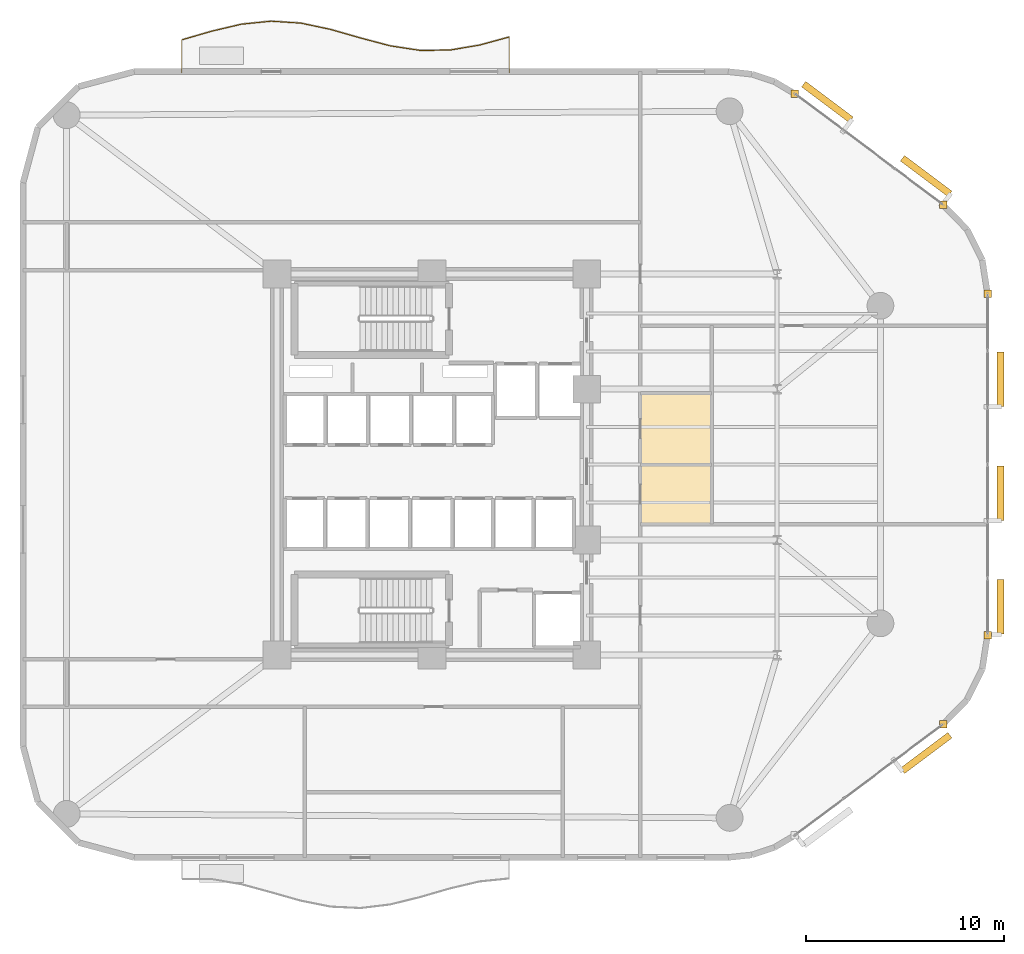
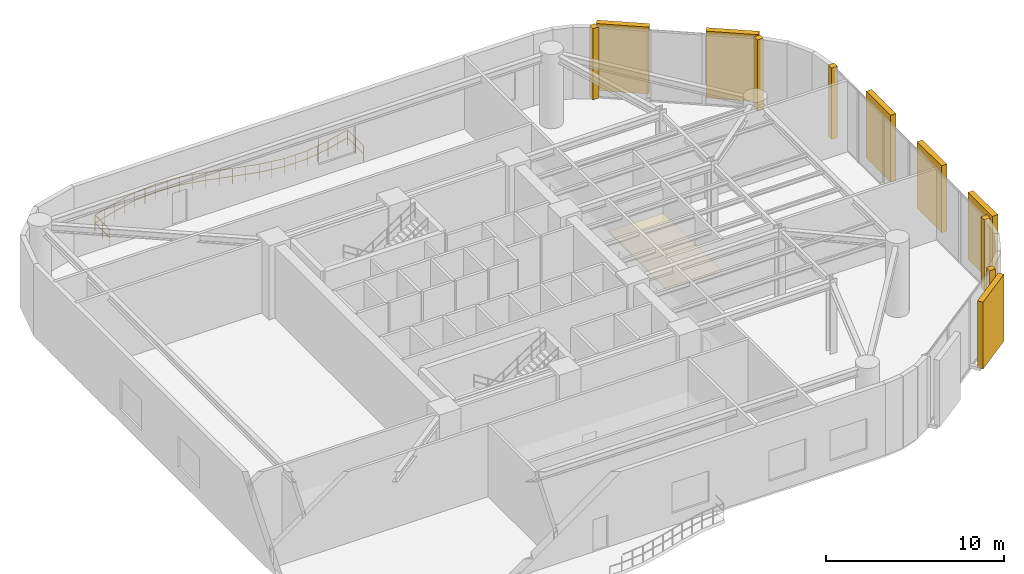
# One storey, part 14 of 14: 7 coverings, 6 shading devices, 1 railing.
"""IFC4 building model written with IfcOpenShell, lengths in metres."""

from ifc_helpers import new_model, si_unit, direction, frame, origin, origin_2d, place, context, subcontext, project, spatial, polyline, rectangle, circle, outline, extrude, material, layer, layer_set, type_object, element, save


model = new_model("IFC4")

# Units and contexts
model_context = context("Model", 3, precision=1e-05, world=origin(), true_north=direction((0.0, 1.0)))
body_context = subcontext(model_context, "Body", "Model", "MODEL_VIEW")
ifc_project = project(units=[si_unit("LENGTHUNIT", "METRE"), si_unit("AREAUNIT", "SQUARE_METRE"), si_unit("VOLUMEUNIT", "CUBIC_METRE"), si_unit("PLANEANGLEUNIT", "RADIAN"), si_unit("MASSUNIT", "GRAM", prefix="KILO")], contexts=[model_context])

# Site, building, storey
site_placement = place(None, origin())
site = spatial("IfcSite", under=ifc_project, at=site_placement, CompositionType="ELEMENT")
building_placement = place(site_placement, origin())
building = spatial("IfcBuilding", under=site, at=building_placement, Name="An Khanh Terracotta Commons", CompositionType="ELEMENT")
storey_placement = place(building_placement, frame((0.0, 0.0, 81.199951171875)))
storey = spatial("IfcBuildingStorey", under=building, at=storey_placement, Name="L21", CompositionType="ELEMENT", Elevation=81.199951171875)

# Coverings
ifc_material_1 = material(Name="Perforated Mineral-Fibre Acoustic Tile")
ifc_layer_1 = layer(ifc_material_1, 0.02001953125, Name="Perforated Mineral-Fibre Acoustic Tile")
ifc_layer_set_1 = layer_set([ifc_layer_1], Name="Perforated Mineral-Fibre Acoustic Tile")
covering_type_1 = type_object("IfcCoveringType", Name="CEIL-ACOUSTIC-18", PredefinedType="CEILING", material=ifc_layer_set_1)
covering_1_placement = place(storey_placement, frame((0.0, 0.0, 2.650146484375)))
element("IfcCovering", 1, at=covering_1_placement, inside=storey, type_object=covering_type_1, Name="L21 Sky Lobby Accessible WC Ceiling", PredefinedType="CEILING", context=body_context, shape_type="SweptSolid", body=[
    extrude(outline(polyline([(39.89990234375, 24.0), (43.5, 24.0), (43.5, 21.0), (39.89990234375, 21.0), (39.89990234375, 24.0)])), origin(), (0.0, 0.0, 1.0), 0.02001953125),
])
covering_2_placement = place(storey_placement, frame((0.0, 0.0, 2.650146484375)))
element("IfcCovering", 2, at=covering_2_placement, inside=storey, type_object=covering_type_1, Name="L21 Sky Lobby Public Restrooms Ceiling", PredefinedType="CEILING", context=body_context, shape_type="SweptSolid", body=[
    extrude(outline(polyline([(39.89990234375, 27.60009765625), (43.5, 27.60009765625), (43.5, 24.0), (39.89990234375, 24.0), (39.89990234375, 27.60009765625)])), origin(), (0.0, 0.0, 1.0), 0.02001953125),
])
ifc_material_2 = material(Name="Fired Terracotta Rainscreen Cladding", Category="masonry")
ifc_layer_2 = layer(ifc_material_2, 0.080078125, Name="Fired Terracotta Rainscreen Cladding")
ifc_layer_set_2 = layer_set([ifc_layer_2], Name="Fired Terracotta Rainscreen Cladding")
covering_type_2 = type_object("IfcCoveringType", Name="COV-JAMB-TERRA", PredefinedType="CLADDING", material=ifc_layer_set_2)
for number, where, z_axis, x_axis, name in (
    (3, (55.159912109375, 10.919921875, 0.0), (0.0, 0.0, 1.0), (1.0, 0.0, 0.0), "L21 CW-04 Curtain-Wall Jamb Closure JB"),
    (4, (57.39990234375, 15.39990234375, 0.0), (0.0, 0.0, 1.0), (1.0, 0.0, 0.0), "L21 CW-04 Curtain-Wall Jamb Closure JA"),
    (5, (57.39990234375, 32.60009765625, 0.0), (0.0, 0.0, 1.0), (1.0, 0.0, 0.0), "L21 CW-04 Curtain-Wall Jamb Closure JB"),
    (6, (55.159912109375, 37.080078125, 0.0), (0.0, 0.0, 1.0), (1.0, 0.0, 0.0), "L21 CW-04 Curtain-Wall Jamb Closure JA"),
    (7, (47.693115234375, 42.679931640625, 0.0), (0.0, 0.0, 1.0), (1.0, 0.0, 0.0), "L21 CW-04 Curtain-Wall Jamb Closure JB"),
):
    element("IfcCovering", number, at=place(storey_placement, frame(where, z_axis=z_axis, x_axis=x_axis)), inside=storey, type_object=covering_type_2, Name=name, PredefinedType="CLADDING", context=body_context, shape_type="SweptSolid", body=[
        extrude(rectangle(XDim=0.3798828125, YDim=0.3798828125, at=origin_2d()), origin(), (0.0, 0.0, 1.0), 4.89990234375),
    ])

# Railing
ifc_material_3 = material(Name="Brushed Stainless Steel 316", Category="steel")
railing_type = type_object("IfcRailingType", Name="RAIL-BALUSTRADE-1100", PredefinedType="BALUSTRADE", material=ifc_material_3)
railing_placement = place(storey_placement, frame((33.300048828125, 43.739990234375, 0.0)))
element("IfcRailing", 8, at=railing_placement, inside=storey, type_object=railing_type, Name="L21 N Wave Balcony Guard Balustrade", PredefinedType="BALUSTRADE", context=body_context, shape_type="SweptSolid", body=[
    extrude(circle(Radius=0.02392578125, at=origin_2d()), frame((0.0, 0.0, 1.076171875), z_axis=(0.0, 1.0, 0.0), x_axis=(-1.0, 0.0, 0.0)), (0.0, 0.0, 1.0), 1.801025390625),
    extrude(circle(Radius=0.02392578125, at=origin_2d()), frame((0.0, 0.0, 0.52587890625), z_axis=(0.0, 1.0, 0.0), x_axis=(-1.0, 0.0, 0.0)), (0.0, 0.0, 1.0), 1.801025390625),
    extrude(circle(Radius=0.02392578125, at=origin_2d()), frame((0.0, 1.801025390625, 1.076171875), z_axis=(-0.964948425307, -0.262439586375, 0.0), x_axis=(0.262439586375, -0.964948425307, 0.0)), (0.0, 0.0, 1.0), 1.554443359375),
    extrude(circle(Radius=0.02392578125, at=origin_2d()), frame((0.0, 1.801025390625, 0.52587890625), z_axis=(-0.964948425307, -0.262439586375, 0.0), x_axis=(0.262439586375, -0.964948425307, 0.0)), (0.0, 0.0, 1.0), 1.554443359375),
    extrude(circle(Radius=0.02392578125, at=origin_2d()), frame((-1.5, 1.39306640625, 1.076171875), z_axis=(-0.986053503704, -0.166428626846, 0.0), x_axis=(0.166428626846, -0.986053503704, 0.0)), (0.0, 0.0, 1.0), 1.521240234375),
    extrude(circle(Radius=0.02392578125, at=origin_2d()), frame((-1.5, 1.39306640625, 0.52587890625), z_axis=(-0.986053503704, -0.166428626846, 0.0), x_axis=(0.166428626846, -0.986053503704, 0.0)), (0.0, 0.0, 1.0), 1.521240234375),
    extrude(circle(Radius=0.02392578125, at=origin_2d()), frame((-3.0, 1.139892578125, 1.076171875), z_axis=(-0.999956968224, -0.009276944529, 0.0), x_axis=(0.009276944529, -0.999956968224, 0.0)), (0.0, 0.0, 1.0), 1.5),
    extrude(circle(Radius=0.02392578125, at=origin_2d()), frame((-3.0, 1.139892578125, 0.52587890625), z_axis=(-0.999956968224, -0.009276944529, 0.0), x_axis=(0.009276944529, -0.999956968224, 0.0)), (0.0, 0.0, 1.0), 1.5),
    extrude(circle(Radius=0.02392578125, at=origin_2d()), frame((-4.5, 1.1259765625, 1.076171875), z_axis=(-0.988545890906, 0.15092058035, 0.0), x_axis=(-0.15092058035, -0.988545890906, 0.0)), (0.0, 0.0, 1.0), 1.517333984375),
    extrude(circle(Radius=0.02392578125, at=origin_2d()), frame((-4.5, 1.1259765625, 0.52587890625), z_axis=(-0.988545890906, 0.15092058035, 0.0), x_axis=(-0.15092058035, -0.988545890906, 0.0)), (0.0, 0.0, 1.0), 1.517333984375),
    extrude(circle(Radius=0.02392578125, at=origin_2d()), frame((-6.0, 1.35498046875, 1.076171875), z_axis=(-0.966718963822, 0.255840663277, 0.0), x_axis=(-0.255840663277, -0.966718963822, 0.0)), (0.0, 0.0, 1.0), 1.5517578125),
    extrude(circle(Radius=0.02392578125, at=origin_2d()), frame((-6.0, 1.35498046875, 0.52587890625), z_axis=(-0.966718963822, 0.255840663277, 0.0), x_axis=(-0.255840663277, -0.966718963822, 0.0)), (0.0, 0.0, 1.0), 1.5517578125),
    extrude(circle(Radius=0.02392578125, at=origin_2d()), frame((-7.5, 1.751953125, 1.076171875), z_axis=(-0.961251897699, 0.275671524047, 0.0), x_axis=(-0.275671524047, -0.961251897699, 0.0)), (0.0, 0.0, 1.0), 1.560546875),
    extrude(circle(Radius=0.02392578125, at=origin_2d()), frame((-7.5, 1.751953125, 0.52587890625), z_axis=(-0.961251897699, 0.275671524047, 0.0), x_axis=(-0.275671524047, -0.961251897699, 0.0)), (0.0, 0.0, 1.0), 1.560546875),
    extrude(circle(Radius=0.02392578125, at=origin_2d()), frame((-9.0, 2.18212890625, 1.076171875), z_axis=(-0.978275241205, 0.207310280607, 0.0), x_axis=(-0.207310280607, -0.978275241205, 0.0)), (0.0, 0.0, 1.0), 1.533203125),
    extrude(circle(Radius=0.02392578125, at=origin_2d()), frame((-9.0, 2.18212890625, 0.52587890625), z_axis=(-0.978275241205, 0.207310280607, 0.0), x_axis=(-0.207310280607, -0.978275241205, 0.0)), (0.0, 0.0, 1.0), 1.533203125),
    extrude(circle(Radius=0.02392578125, at=origin_2d()), frame((-10.5, 2.5, 1.076171875), z_axis=(-0.99787689467, 0.065128358523, 0.0), x_axis=(-0.065128358523, -0.99787689467, 0.0)), (0.0, 0.0, 1.0), 1.503173828125),
    extrude(circle(Radius=0.02392578125, at=origin_2d()), frame((-10.5, 2.5, 0.52587890625), z_axis=(-0.99787689467, 0.065128358523, 0.0), x_axis=(-0.065128358523, -0.99787689467, 0.0)), (0.0, 0.0, 1.0), 1.503173828125),
    extrude(circle(Radius=0.02392578125, at=origin_2d()), frame((-12.0, 2.597900390625, 1.076171875), z_axis=(-0.994849482387, -0.101363244788, 0.0), x_axis=(0.101363244788, -0.994849482387, 0.0)), (0.0, 0.0, 1.0), 1.5078125),
    extrude(circle(Radius=0.02392578125, at=origin_2d()), frame((-12.0, 2.597900390625, 0.52587890625), z_axis=(-0.994849482387, -0.101363244788, 0.0), x_axis=(0.101363244788, -0.994849482387, 0.0)), (0.0, 0.0, 1.0), 1.5078125),
    extrude(circle(Radius=0.02392578125, at=origin_2d()), frame((-13.5, 2.445068359375, 1.076171875), z_axis=(-0.973263214687, -0.229692653206, 0.0), x_axis=(0.229692653206, -0.973263214687, 0.0)), (0.0, 0.0, 1.0), 1.541259765625),
    extrude(circle(Radius=0.02392578125, at=origin_2d()), frame((-13.5, 2.445068359375, 0.52587890625), z_axis=(-0.973263214687, -0.229692653206, 0.0), x_axis=(0.229692653206, -0.973263214687, 0.0)), (0.0, 0.0, 1.0), 1.541259765625),
    extrude(circle(Radius=0.02392578125, at=origin_2d()), frame((-15.0, 2.091064453125, 1.076171875), z_axis=(-0.960419102414, -0.278559056071, 0.0), x_axis=(0.278559056071, -0.960419102414, 0.0)), (0.0, 0.0, 1.0), 1.561767578125),
    extrude(circle(Radius=0.02392578125, at=origin_2d()), frame((-15.0, 2.091064453125, 0.52587890625), z_axis=(-0.960419102414, -0.278559056071, 0.0), x_axis=(0.278559056071, -0.960419102414, 0.0)), (0.0, 0.0, 1.0), 1.561767578125),
    extrude(circle(Radius=0.02392578125, at=origin_2d()), frame((-16.5, 1.656005859375, 1.076171875), z_axis=(0.0, -1.0, 0.0), x_axis=(1.0, 0.0, 0.0)), (0.0, 0.0, 1.0), 1.656005859375),
    extrude(circle(Radius=0.02392578125, at=origin_2d()), frame((-16.5, 1.656005859375, 0.52587890625), z_axis=(0.0, -1.0, 0.0), x_axis=(1.0, 0.0, 0.0)), (0.0, 0.0, 1.0), 1.656005859375),
    extrude(circle(Radius=0.02099609375, at=origin_2d()), origin(), (0.0, 0.0, 1.0), 1.052001953125),
    extrude(circle(Radius=0.02099609375, at=origin_2d()), frame((0.0, 0.900390625, 0.0)), (0.0, 0.0, 1.0), 1.052001953125),
    extrude(circle(Radius=0.02099609375, at=origin_2d()), frame((0.0, 1.801025390625, 0.0)), (0.0, 0.0, 1.0), 1.052001953125),
    extrude(circle(Radius=0.02099609375, at=origin_2d()), frame((-0.75, 1.59716796875, 0.0)), (0.0, 0.0, 1.0), 1.052001953125),
    extrude(circle(Radius=0.02099609375, at=origin_2d()), frame((-1.5, 1.39306640625, 0.0)), (0.0, 0.0, 1.0), 1.052001953125),
    extrude(circle(Radius=0.02099609375, at=origin_2d()), frame((-2.25, 1.2666015625, 0.0)), (0.0, 0.0, 1.0), 1.052001953125),
    extrude(circle(Radius=0.02099609375, at=origin_2d()), frame((-3.0, 1.139892578125, 0.0)), (0.0, 0.0, 1.0), 1.052001953125),
    extrude(circle(Radius=0.02099609375, at=origin_2d()), frame((-3.75, 1.1328125, 0.0)), (0.0, 0.0, 1.0), 1.052001953125),
    extrude(circle(Radius=0.02099609375, at=origin_2d()), frame((-4.5, 1.1259765625, 0.0)), (0.0, 0.0, 1.0), 1.052001953125),
    extrude(circle(Radius=0.02099609375, at=origin_2d()), frame((-5.25, 1.240478515625, 0.0)), (0.0, 0.0, 1.0), 1.052001953125),
    extrude(circle(Radius=0.02099609375, at=origin_2d()), frame((-6.0, 1.35498046875, 0.0)), (0.0, 0.0, 1.0), 1.052001953125),
    extrude(circle(Radius=0.02099609375, at=origin_2d()), frame((-6.75, 1.553466796875, 0.0)), (0.0, 0.0, 1.0), 1.052001953125),
    extrude(circle(Radius=0.02099609375, at=origin_2d()), frame((-7.5, 1.751953125, 0.0)), (0.0, 0.0, 1.0), 1.052001953125),
    extrude(circle(Radius=0.02099609375, at=origin_2d()), frame((-8.25, 1.967041015625, 0.0)), (0.0, 0.0, 1.0), 1.052001953125),
    extrude(circle(Radius=0.02099609375, at=origin_2d()), frame((-9.0, 2.18212890625, 0.0)), (0.0, 0.0, 1.0), 1.052001953125),
    extrude(circle(Radius=0.02099609375, at=origin_2d()), frame((-9.75, 2.341064453125, 0.0)), (0.0, 0.0, 1.0), 1.052001953125),
    extrude(circle(Radius=0.02099609375, at=origin_2d()), frame((-10.5, 2.5, 0.0)), (0.0, 0.0, 1.0), 1.052001953125),
    extrude(circle(Radius=0.02099609375, at=origin_2d()), frame((-11.25, 2.548828125, 0.0)), (0.0, 0.0, 1.0), 1.052001953125),
    extrude(circle(Radius=0.02099609375, at=origin_2d()), frame((-12.0, 2.597900390625, 0.0)), (0.0, 0.0, 1.0), 1.052001953125),
    extrude(circle(Radius=0.02099609375, at=origin_2d()), frame((-12.75, 2.521484375, 0.0)), (0.0, 0.0, 1.0), 1.052001953125),
    extrude(circle(Radius=0.02099609375, at=origin_2d()), frame((-13.5, 2.445068359375, 0.0)), (0.0, 0.0, 1.0), 1.052001953125),
    extrude(circle(Radius=0.02099609375, at=origin_2d()), frame((-14.25, 2.26806640625, 0.0)), (0.0, 0.0, 1.0), 1.052001953125),
    extrude(circle(Radius=0.02099609375, at=origin_2d()), frame((-15.0, 2.091064453125, 0.0)), (0.0, 0.0, 1.0), 1.052001953125),
    extrude(circle(Radius=0.02099609375, at=origin_2d()), frame((-15.75, 1.87353515625, 0.0)), (0.0, 0.0, 1.0), 1.052001953125),
    extrude(circle(Radius=0.02099609375, at=origin_2d()), frame((-16.5, 1.656005859375, 0.0)), (0.0, 0.0, 1.0), 1.052001953125),
    extrude(circle(Radius=0.02099609375, at=origin_2d()), frame((-16.5, 0.828125, 0.0)), (0.0, 0.0, 1.0), 1.052001953125),
    extrude(circle(Radius=0.02099609375, at=origin_2d()), frame((-16.5, 0.0, 0.0)), (0.0, 0.0, 1.0), 1.052001953125),
])

# Shading devices
ifc_material_4 = material(Name="Extruded Fired Terracotta", Category="masonry")
shading_device_type = type_object("IfcShadingDeviceType", Name="Terracotta Baguette Screen Assembly", PredefinedType="USERDEFINED", material=ifc_material_4)
shading_device_placement = place(storey_placement, frame((54.304931640625, 9.467041015625, 0.14990234375), z_axis=(0.0, 0.0, 1.0), x_axis=(0.800012856594, 0.599982857492, 0.0)))
element("IfcShadingDevice", 9, at=shading_device_placement, inside=storey, type_object=shading_device_type, Name="L21 Terracotta Baguette Screen 3", ObjectType="BAGUETTE", PredefinedType="USERDEFINED", context=body_context, shape_type="SweptSolid", body=[
    extrude(rectangle(XDim=2.990966796875, YDim=0.35009765625, at=origin_2d()), origin(), (0.0, 0.0, 1.0), 4.60009765625),
])
for number, where, z_axis, x_axis, name in (
    (10, (58.050048828125, 16.8330078125, 0.14990234375), (0.0, 0.0, 1.0), (0.0, 1.0, 0.0), "L21 Terracotta Baguette Screen 1"),
    (11, (58.050048828125, 22.56689453125, 0.14990234375), (0.0, 0.0, 1.0), (0.0, 1.0, 0.0), "L21 Terracotta Baguette Screen 3"),
    (12, (58.050048828125, 28.300048828125, 0.14990234375), (0.0, 0.0, 1.0), (0.0, 1.0, 0.0), "L21 Terracotta Baguette Screen 5"),
):
    element("IfcShadingDevice", number, at=place(storey_placement, frame(where, z_axis=z_axis, x_axis=x_axis)), inside=storey, type_object=shading_device_type, Name=name, ObjectType="BAGUETTE", PredefinedType="USERDEFINED", context=body_context, shape_type="SweptSolid", body=[
        extrude(rectangle(XDim=2.7470703125, YDim=0.35009765625, at=origin_2d()), origin(), (0.0, 0.0, 1.0), 4.60009765625),
    ])
for number, where, z_axis, x_axis, name in (
    (13, (54.304931640625, 38.532958984375, 0.14990234375), (0.0, 0.0, 1.0), (-0.800012856594, 0.599982857492, 0.0), "L21 Terracotta Baguette Screen 1"),
    (14, (49.326904296875, 42.26708984375, 0.14990234375), (0.0, 0.0, 1.0), (-0.800012856594, 0.599982857492, 0.0), "L21 Terracotta Baguette Screen 3"),
):
    element("IfcShadingDevice", number, at=place(storey_placement, frame(where, z_axis=z_axis, x_axis=x_axis)), inside=storey, type_object=shading_device_type, Name=name, ObjectType="BAGUETTE", PredefinedType="USERDEFINED", context=body_context, shape_type="SweptSolid", body=[
        extrude(rectangle(XDim=2.990966796875, YDim=0.35009765625, at=origin_2d()), origin(), (0.0, 0.0, 1.0), 4.60009765625),
    ])

save(model, "model.ifc")
